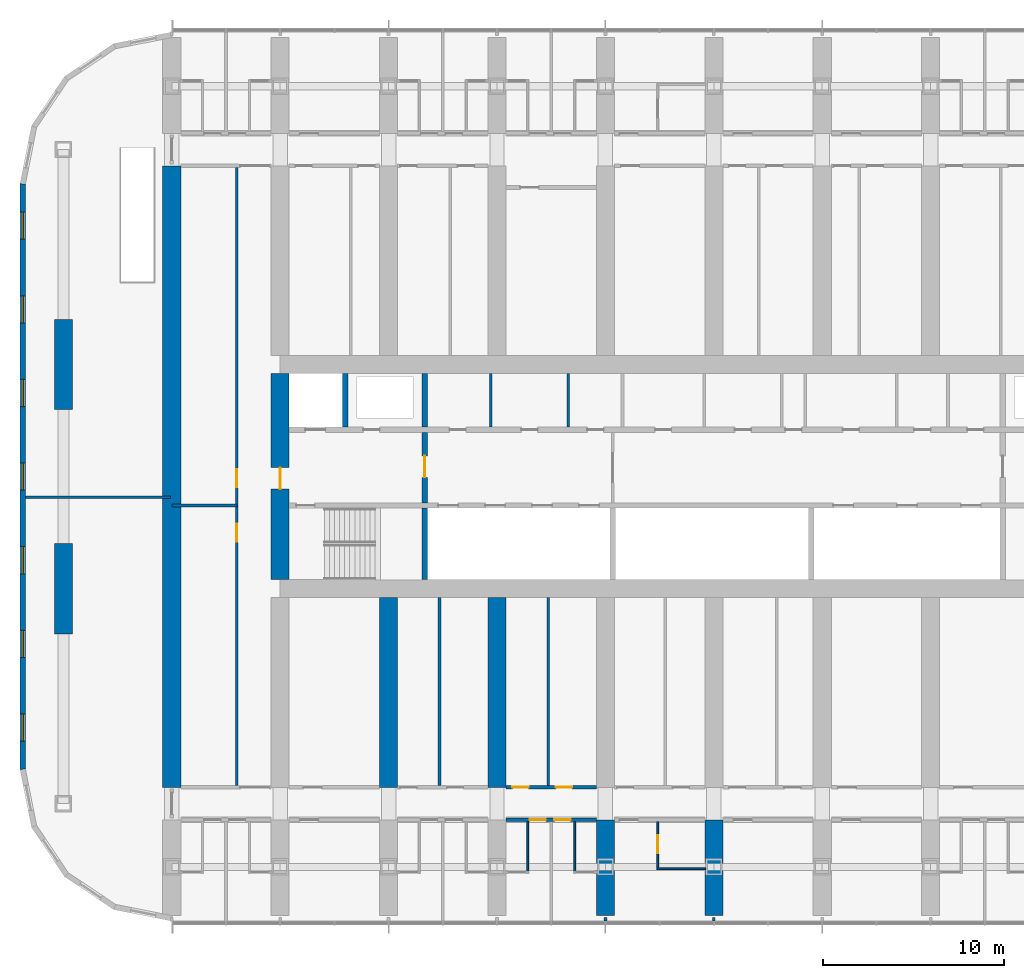
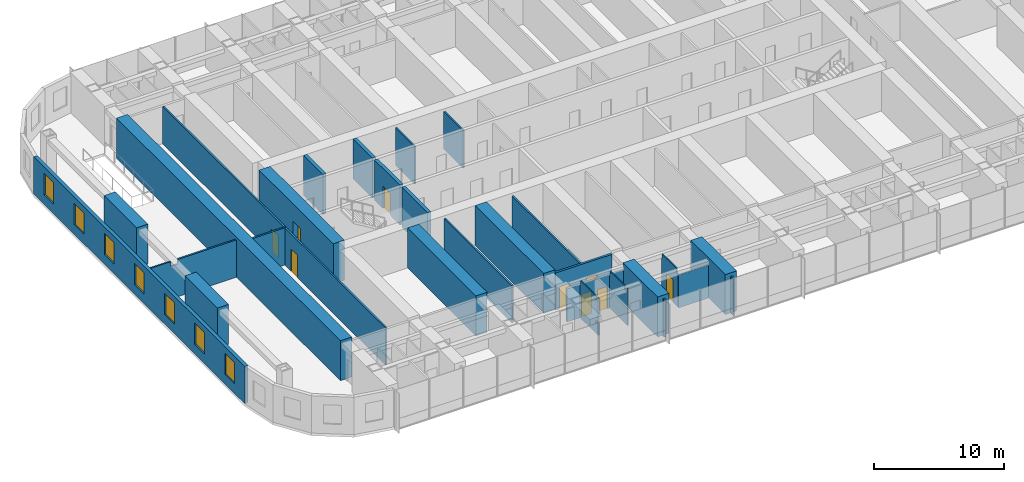
# One storey, part 11 of 23: 28 walls, 9 doors, 7 windows, 16 openings.
"""IFC4 building model written with IfcOpenShell, lengths in metres."""

from ifc_helpers import new_model, si_unit, direction, frame, frame_2d, origin, place, context, subcontext, project, spatial, polyline, rectangle, outline, extrude, material, layer, layer_set, type_object, element, fill, save


model = new_model("IFC4")

# Units and contexts
model_context = context("Model", 3, precision=1e-05, world=origin(), true_north=direction((0.0, 1.0)))
body_context = subcontext(model_context, "Body", "Model", "MODEL_VIEW")
ifc_project = project(units=[si_unit("LENGTHUNIT", "METRE"), si_unit("AREAUNIT", "SQUARE_METRE"), si_unit("VOLUMEUNIT", "CUBIC_METRE"), si_unit("PLANEANGLEUNIT", "RADIAN"), si_unit("MASSUNIT", "GRAM", prefix="KILO")], contexts=[model_context])

# Site, building, storey
site_placement = place(None, origin())
site = spatial("IfcSite", under=ifc_project, at=site_placement, CompositionType="ELEMENT")
building_placement = place(site_placement, origin())
building = spatial("IfcBuilding", under=site, at=building_placement, Name="Orbita Commons", CompositionType="ELEMENT")
storey_placement = place(building_placement, frame((0.0, 0.0, 42.699951171875)))
storey = spatial("IfcBuildingStorey", under=building, at=storey_placement, Name="L10", CompositionType="ELEMENT", Elevation=42.699951171875)

# Wall
ifc_material_1 = material(Name="Concrete C50/60", Category="concrete")
ifc_layer_1 = layer(ifc_material_1, 0.300048828125)
ifc_layer_set_1 = layer_set([ifc_layer_1], Name="Concrete C50/60")
wall_type_1 = type_object("IfcWallType", Name="Core inner wall 300 C50/60", PredefinedType="SHEAR", material=ifc_layer_set_1)
wall_1_placement = place(storey_placement, frame((26.0, 26.300048828125, 0.0), z_axis=(0.0, 0.0, 1.0), x_axis=(0.0, 1.0, 0.0)))
element("IfcWall", 1, at=wall_1_placement, inside=storey, type_object=wall_type_1, Name="Stair S1 wall L10", PredefinedType="SHEAR", context=body_context, shape_type="SweptSolid", body=[
    extrude(rectangle(XDim=3.949951171875, YDim=0.300048828125, at=frame_2d((1.97509765625, 0.0))), origin(), (0.0, 0.0, 1.0), 3.75),
])

# Wall, opening, door
wall_2_placement = place(storey_placement, frame((26.0, 30.550048828125, 0.0), z_axis=(0.0, 0.0, 1.0), x_axis=(0.0, 1.0, 0.0)))
wall_2 = element("IfcWall", 2, at=wall_2_placement, inside=storey, type_object=wall_type_1, Name="Firefighting lobby wall west L10", PredefinedType="SHEAR", context=body_context, shape_type="SweptSolid", body=[
    extrude(rectangle(XDim=3.89990234375, YDim=0.300048828125, at=frame_2d((1.949951171875, 0.0))), origin(), (0.0, 0.0, 1.0), 3.75),
])
opening_1_placement = place(wall_2_placement, frame((1.39990234375, 0.0, 0.0)))
opening_1 = element("IfcOpeningElement", 3, at=opening_1_placement, cuts=wall_2, Name="Opening D04", PredefinedType="OPENING", context=body_context, shape_type="SweptSolid", body=[
    extrude(rectangle(XDim=1.199951171875, YDim=2.10009765625, at=frame_2d((0.60009765625, 1.050048828125))), frame((0.0, 0.159912109375, 0.0), z_axis=(0.0, -1.0, 0.0), x_axis=(1.0, 0.0, 0.0)), (0.0, 0.0, 1.0), 0.320068359375),
])
ifc_material_2 = material(Name="Steel-faced fire door leaf", Category="steel")
door_type_1 = type_object("IfcDoorType", Name="Service door 20 min 1200x2100", OperationType="SINGLE_SWING_LEFT", PredefinedType="DOOR", material=ifc_material_2)
door_1_placement = place(opening_1_placement, origin())
door_1 = element("IfcDoor", 4, at=door_1_placement, inside=storey, type_object=door_type_1, Name="Lift lobby door west", OperationType="SINGLE_SWING_LEFT", OverallHeight=2.10009765625, OverallWidth=1.199951171875, PredefinedType="DOOR", context=body_context, shape_type="SweptSolid", body=[
    extrude(rectangle(XDim=1.199951171875, YDim=2.10009765625, at=frame_2d((0.60009765625, 1.050048828125))), frame((0.0, 0.02490234375, 0.0), z_axis=(0.0, -1.0, 0.0), x_axis=(1.0, 0.0, 0.0)), (0.0, 0.0, 1.0), 0.050048828125),
])
fill(opening_1, door_1)

# Walls
for number, where, z_axis, x_axis, name in (
    (5, (21.60009765625, 34.75, 0.0), (0.0, 0.0, 1.0), (0.0, 1.0, 0.0), "Firefighting lift FL1 shaft wall L10"),
    (6, (26.0, 34.75, 0.0), (0.0, 0.0, 1.0), (0.0, 1.0, 0.0), "Riser wall west L10"),
):
    element("IfcWall", number, at=place(storey_placement, frame(where, z_axis=z_axis, x_axis=x_axis)), inside=storey, type_object=wall_type_1, Name=name, PredefinedType="SHEAR", context=body_context, shape_type="SweptSolid", body=[
        extrude(rectangle(XDim=2.949951171875, YDim=0.300048828125, at=frame_2d((1.47509765625, 0.0))), origin(), (0.0, 0.0, 1.0), 3.75),
    ])
ifc_material_3 = material(Name="Concrete blockwork", Category="masonry")
ifc_layer_2 = layer(ifc_material_3, 0.14990234375)
ifc_layer_set_2 = layer_set([ifc_layer_2], Name="Concrete blockwork")
wall_type_2 = type_object("IfcWallType", Name="Core partition 150 blockwork", PredefinedType="SOLIDWALL", material=ifc_layer_set_2)
for number, where, z_axis, x_axis, name in (
    (7, (29.65087890625, 34.75, 0.0), (0.0, 0.0, 1.0), (0.0, 1.0, 0.0), "Core partition 150 blockwork L10"),
    (8, (33.9462890625, 34.75, 0.0), (0.0, 0.0, 1.0), (0.0, 1.0, 0.0), "Core partition 150 blockwork L10"),
):
    element("IfcWall", number, at=place(storey_placement, frame(where, z_axis=z_axis, x_axis=x_axis)), inside=storey, type_object=wall_type_2, Name=name, PredefinedType="SOLIDWALL", context=body_context, shape_type="SweptSolid", body=[
        extrude(rectangle(XDim=2.949951171875, YDim=0.14990234375, at=frame_2d((1.47509765625, 0.0))), origin(), (0.0, 0.0, 1.0), 3.5),
    ])

# Wall, opening, door
ifc_material_4 = material(Name="Concrete C50/60", Category="concrete")
ifc_layer_3 = layer(ifc_material_4, 1.0)
ifc_layer_set_3 = layer_set([ifc_layer_3], Name="Concrete C50/60")
wall_type_3 = type_object("IfcWallType", Name="Core wall 1000 C50/60", PredefinedType="SHEAR", material=ifc_layer_set_3)
wall_3_placement = place(storey_placement, frame((18.0, 26.300048828125, 0.0), z_axis=(0.0, 0.0, 1.0), x_axis=(0.0, 1.0, 0.0)))
wall_3 = element("IfcWall", 9, at=wall_3_placement, inside=storey, type_object=wall_type_3, Name="Core end wall west L10", PredefinedType="SHEAR", context=body_context, shape_type="SweptSolid", body=[
    extrude(rectangle(XDim=11.39990234375, YDim=1.0, at=frame_2d((5.699951171875, 0.0))), origin(), (0.0, 0.0, 1.0), 3.75),
])
opening_2_placement = place(wall_3_placement, frame((5.0, 0.0, 0.0)))
opening_2 = element("IfcOpeningElement", 10, at=opening_2_placement, cuts=wall_3, Name="Opening D01", PredefinedType="OPENING", context=body_context, shape_type="SweptSolid", body=[
    extrude(rectangle(XDim=1.199951171875, YDim=2.10009765625, at=frame_2d((0.60009765625, 1.050048828125))), frame((0.0, 0.510009765625, 0.0), z_axis=(0.0, -1.0, 0.0), x_axis=(1.0, 0.0, 0.0)), (0.0, 0.0, 1.0), 1.02001953125),
])
ifc_material_5 = material(Name="Steel-faced fire door leaf", Category="steel")
door_type_2 = type_object("IfcDoorType", Name="Fire door 90 min 1200x2100", OperationType="SINGLE_SWING_LEFT", PredefinedType="DOOR", material=ifc_material_5)
door_2_placement = place(opening_2_placement, origin())
door_2 = element("IfcDoor", 11, at=door_2_placement, inside=storey, type_object=door_type_2, Name="Firefighting lobby west door", OperationType="SINGLE_SWING_LEFT", OverallHeight=2.10009765625, OverallWidth=1.199951171875, PredefinedType="DOOR", context=body_context, shape_type="SweptSolid", body=[
    extrude(rectangle(XDim=1.199951171875, YDim=2.10009765625, at=frame_2d((0.60009765625, 1.050048828125))), frame((0.0, 0.02490234375, 0.0), z_axis=(0.0, -1.0, 0.0), x_axis=(1.0, 0.0, 0.0)), (0.0, 0.0, 1.0), 0.050048828125),
])
fill(opening_2, door_2)

# Wall, openings, doors
ifc_material_6 = material(Name="Concrete blockwork", Category="masonry")
ifc_layer_4 = layer(ifc_material_6, 0.199951171875)
ifc_layer_set_4 = layer_set([ifc_layer_4], Name="Concrete blockwork")
wall_type_4 = type_object("IfcWallType", Name="Corridor wall 200 blockwork", PredefinedType="SOLIDWALL", material=ifc_layer_set_4)
wall_4_placement = place(storey_placement, frame((30.5, 13.0, 0.0), z_axis=(0.0, 0.0, 1.0), x_axis=(1.0, 0.0, 0.0)))
wall_4 = element("IfcWall", 12, at=wall_4_placement, inside=storey, type_object=wall_type_4, Name="Corridor wall 200 blockwork L10", PredefinedType="SOLIDWALL", context=body_context, shape_type="SweptSolid", body=[
    extrude(outline(polyline([(0.0, 0.0), (5.0, 0.0), (5.0, 3.10009765625), (0.0, 3.10009765625), (0.0, 0.0)])), frame((0.0, 0.10009765625, 0.0), z_axis=(0.0, -1.0, 0.0), x_axis=(1.0, 0.0, 0.0)), (0.0, 0.0, 1.0), 0.199951171875),
])
opening_3_placement = place(wall_4_placement, frame((1.300048828125, 0.0, 0.0)))
opening_3 = element("IfcOpeningElement", 13, at=opening_3_placement, cuts=wall_4, Name="Opening D11", PredefinedType="OPENING", context=body_context, shape_type="SweptSolid", body=[
    extrude(rectangle(XDim=0.89990234375, YDim=2.10009765625, at=frame_2d((0.449951171875, 1.050048828125))), frame((0.0, 0.10986328125, 0.0), z_axis=(0.0, -1.0, 0.0), x_axis=(1.0, 0.0, 0.0)), (0.0, 0.0, 1.0), 0.219970703125),
])
opening_4_placement = place(wall_4_placement, frame((2.675048828125, 0.0, 0.0)))
opening_4 = element("IfcOpeningElement", 14, at=opening_4_placement, cuts=wall_4, Name="Opening D11", PredefinedType="OPENING", context=body_context, shape_type="SweptSolid", body=[
    extrude(rectangle(XDim=0.89990234375, YDim=2.10009765625, at=frame_2d((0.449951171875, 1.050048828125))), frame((0.0, 0.10986328125, 0.0), z_axis=(0.0, -1.0, 0.0), x_axis=(1.0, 0.0, 0.0)), (0.0, 0.0, 1.0), 0.219970703125),
])
ifc_material_7 = material(Name="Steel-faced fire door leaf", Category="steel")
door_type_3 = type_object("IfcDoorType", Name="Corridor door 20 min 900x2100", OperationType="SINGLE_SWING_LEFT", PredefinedType="DOOR", material=ifc_material_7)
door_3_placement = place(opening_3_placement, origin())
door_3 = element("IfcDoor", 15, at=door_3_placement, inside=storey, type_object=door_type_3, Name="House bedroom L10-S06 door", OperationType="SINGLE_SWING_LEFT", OverallHeight=2.10009765625, OverallWidth=0.89990234375, PredefinedType="DOOR", context=body_context, shape_type="SweptSolid", body=[
    extrude(rectangle(XDim=0.89990234375, YDim=2.10009765625, at=frame_2d((0.449951171875, 1.050048828125))), frame((0.0, 0.02490234375, 0.0), z_axis=(0.0, -1.0, 0.0), x_axis=(1.0, 0.0, 0.0)), (0.0, 0.0, 1.0), 0.050048828125),
])
fill(opening_3, door_3)
door_4_placement = place(opening_4_placement, origin())
door_4 = element("IfcDoor", 16, at=door_4_placement, inside=storey, type_object=door_type_3, Name="House bedroom L10-S07 door", OperationType="SINGLE_SWING_LEFT", OverallHeight=2.10009765625, OverallWidth=0.89990234375, PredefinedType="DOOR", context=body_context, shape_type="SweptSolid", body=[
    extrude(rectangle(XDim=0.89990234375, YDim=2.10009765625, at=frame_2d((0.449951171875, 1.050048828125))), frame((0.0, 0.02490234375, 0.0), z_axis=(0.0, -1.0, 0.0), x_axis=(1.0, 0.0, 0.0)), (0.0, 0.0, 1.0), 0.050048828125),
])
fill(opening_4, door_4)

ifc_material_8 = material(Name="Hollow concrete block 200", Category="concrete")
ifc_layer_5 = layer(ifc_material_8, 0.199951171875)
ifc_layer_set_5 = layer_set([ifc_layer_5], Name="Hollow concrete block 200")
wall_type_5 = type_object("IfcWallType", Name="Corridor wall 200 hollow concrete block", PredefinedType="SOLIDWALL", material=ifc_layer_set_5)
wall_5_placement = place(storey_placement, frame((30.5, 14.800048828125, 0.0), z_axis=(0.0, 0.0, 1.0), x_axis=(1.0, 0.0, 0.0)))
wall_5 = element("IfcWall", 17, at=wall_5_placement, inside=storey, type_object=wall_type_5, Name="Corridor wall 200 hollow concrete block L10", PredefinedType="SOLIDWALL", context=body_context, shape_type="SweptSolid", body=[
    extrude(rectangle(XDim=5.0, YDim=0.199951171875, at=frame_2d((2.5, 0.0))), origin(), (0.0, 0.0, 1.0), 3.5),
])
opening_5_placement = place(wall_5_placement, frame((0.35009765625, 0.0, 0.0)))
opening_5 = element("IfcOpeningElement", 18, at=opening_5_placement, cuts=wall_5, Name="Opening D11", PredefinedType="OPENING", context=body_context, shape_type="SweptSolid", body=[
    extrude(rectangle(XDim=0.89990234375, YDim=2.10009765625, at=frame_2d((0.449951171875, 1.050048828125))), frame((0.0, 0.10986328125, 0.0), z_axis=(0.0, -1.0, 0.0), x_axis=(1.0, 0.0, 0.0)), (0.0, 0.0, 1.0), 0.219970703125),
])
opening_6_placement = place(wall_5_placement, frame((2.7548828125, 0.0, 0.0)))
opening_6 = element("IfcOpeningElement", 19, at=opening_6_placement, cuts=wall_5, Name="Opening D11", PredefinedType="OPENING", context=body_context, shape_type="SweptSolid", body=[
    extrude(rectangle(XDim=0.89990234375, YDim=2.10009765625, at=frame_2d((0.449951171875, 1.050048828125))), frame((0.0, 0.10986328125, 0.0), z_axis=(0.0, -1.0, 0.0), x_axis=(1.0, 0.0, 0.0)), (0.0, 0.0, 1.0), 0.219970703125),
])
door_5_placement = place(opening_5_placement, origin())
door_5 = element("IfcDoor", 20, at=door_5_placement, inside=storey, type_object=door_type_3, Name="Sprinkler valve room L10-BDS30n door", OperationType="SINGLE_SWING_LEFT", OverallHeight=2.10009765625, OverallWidth=0.89990234375, PredefinedType="DOOR", context=body_context, shape_type="SweptSolid", body=[
    extrude(rectangle(XDim=0.89990234375, YDim=2.10009765625, at=frame_2d((0.449951171875, 1.050048828125))), frame((0.0, 0.02490234375, 0.0), z_axis=(0.0, -1.0, 0.0), x_axis=(1.0, 0.0, 0.0)), (0.0, 0.0, 1.0), 0.050048828125),
])
fill(opening_5, door_5)
door_6_placement = place(opening_6_placement, origin())
door_6 = element("IfcDoor", 21, at=door_6_placement, inside=storey, type_object=door_type_3, Name="Quiet room L10-BDS30 door", OperationType="SINGLE_SWING_LEFT", OverallHeight=2.10009765625, OverallWidth=0.89990234375, PredefinedType="DOOR", context=body_context, shape_type="SweptSolid", body=[
    extrude(rectangle(XDim=0.89990234375, YDim=2.10009765625, at=frame_2d((0.449951171875, 1.050048828125))), frame((0.0, 0.02490234375, 0.0), z_axis=(0.0, -1.0, 0.0), x_axis=(1.0, 0.0, 0.0)), (0.0, 0.0, 1.0), 0.050048828125),
])
fill(opening_6, door_6)

# Walls
ifc_material_9 = material(Name="Concrete C50/60", Category="concrete")
ifc_layer_6 = layer(ifc_material_9, 1.0)
ifc_layer_set_6 = layer_set([ifc_layer_6], Name="Concrete C50/60")
wall_type_6 = type_object("IfcWallType", Name="Cross wall 1000 C50/60", PredefinedType="SHEAR", material=ifc_layer_set_6)
wall_6_placement = place(storey_placement, frame((12.0, 14.800048828125, 0.0), z_axis=(0.0, 0.0, 1.0), x_axis=(0.0, 1.0, 0.0)))
element("IfcWall", 22, at=wall_6_placement, inside=storey, type_object=wall_type_6, Name="Cross wall 3 inner L10", PredefinedType="SHEAR", context=body_context, shape_type="SweptSolid", body=[
    extrude(rectangle(XDim=34.39990234375, YDim=1.0, at=frame_2d((17.199951171875, 0.0))), origin(), (0.0, 0.0, 1.0), 3.75),
])
for number, where, z_axis, x_axis, name in (
    (23, (24.0, 14.800048828125, 0.0), (0.0, 0.0, 1.0), (0.0, 1.0, 0.0), "Cross wall 5 south inner L10"),
    (24, (30.0, 14.800048828125, 0.0), (0.0, 0.0, 1.0), (0.0, 1.0, 0.0), "Cross wall 6 south inner L10"),
):
    element("IfcWall", number, at=place(storey_placement, frame(where, z_axis=z_axis, x_axis=x_axis)), inside=storey, type_object=wall_type_6, Name=name, PredefinedType="SHEAR", context=body_context, shape_type="SweptSolid", body=[
        extrude(rectangle(XDim=10.5, YDim=1.0, at=frame_2d((5.25, 0.0))), origin(), (0.0, 0.0, 1.0), 3.75),
    ])
for number, where, z_axis, x_axis, name in (
    (25, (36.0, 7.699951171875, 0.0), (0.0, 0.0, 1.0), (0.0, 1.0, 0.0), "Cross wall 7 south outer L10"),
    (26, (42.0, 7.699951171875, 0.0), (0.0, 0.0, 1.0), (0.0, 1.0, 0.0), "Cross wall 8 south outer L10"),
):
    element("IfcWall", number, at=place(storey_placement, frame(where, z_axis=z_axis, x_axis=x_axis)), inside=storey, type_object=wall_type_6, Name=name, PredefinedType="SHEAR", context=body_context, shape_type="SweptSolid", body=[
        extrude(rectangle(XDim=5.300048828125, YDim=1.0, at=frame_2d((2.64990234375, 0.0))), origin(), (0.0, 0.0, 1.0), 3.75),
    ])
ifc_material_10 = material(Name="Moisture-resistant plasterboard on steel studs", Category="steel")
ifc_layer_7 = layer(ifc_material_10, 0.10009765625)
ifc_layer_set_7 = layer_set([ifc_layer_7], Name="Moisture-resistant plasterboard on steel studs")
wall_type_7 = type_object("IfcWallType", Name="En-suite partition 100", PredefinedType="PARTITIONING", material=ifc_layer_set_7)
for number, where, z_axis, x_axis, name in (
    (27, (31.699951171875, 10.14990234375, 0.0), (0.0, 0.0, 1.0), (0.0, 1.0, 0.0), "En-suite partition 100 L10"),
    (28, (34.300048828125, 10.14990234375, 0.0), (0.0, 0.0, 1.0), (0.0, 1.0, 0.0), "En-suite partition 100 L10"),
):
    element("IfcWall", number, at=place(storey_placement, frame(where, z_axis=z_axis, x_axis=x_axis)), inside=storey, type_object=wall_type_7, Name=name, PredefinedType="PARTITIONING", context=body_context, shape_type="SweptSolid", body=[
        extrude(outline(polyline([(0.0, 0.0), (2.75, 0.0), (2.75, 3.10009765625), (2.701904296875, 3.10009765625), (2.699951171875, 3.5), (0.451904296875, 3.5), (0.449951171875, 3.10009765625), (0.052001953125, 3.10009765625), (0.050048828125, 3.5), (0.0, 3.5), (0.0, 0.0)])), frame((0.0, 0.050048828125, 0.0), z_axis=(0.0, -1.0, 0.0), x_axis=(1.0, 0.0, 0.0)), (0.0, 0.0, 1.0), 0.10009765625),
    ])
wall_7_placement = place(storey_placement, frame((38.85009765625, 10.300048828125, 0.0), z_axis=(0.0, 0.0, 1.0), x_axis=(1.0, 0.0, 0.0)))
element("IfcWall", 29, at=wall_7_placement, inside=storey, type_object=wall_type_7, Name="En-suite partition 100 L10", PredefinedType="PARTITIONING", context=body_context, shape_type="SweptSolid", body=[
    extrude(outline(polyline([(0.0, 0.0), (2.699951171875, 0.0), (2.699951171875, 3.10009765625), (0.0, 3.10009765625), (0.0, 0.0)])), frame((0.0, 0.050048828125, 0.0), z_axis=(0.0, -1.0, 0.0), x_axis=(1.0, 0.0, 0.0)), (0.0, 0.0, 1.0), 0.10009765625),
])

# Wall, opening, door
wall_8_placement = place(storey_placement, frame((38.89990234375, 10.35009765625, 0.0), z_axis=(0.0, 0.0, 1.0), x_axis=(0.0, 1.0, 0.0)))
wall_8 = element("IfcWall", 30, at=wall_8_placement, inside=storey, type_object=wall_type_7, Name="En-suite partition 100 L10", PredefinedType="PARTITIONING", context=body_context, shape_type="SweptSolid", body=[
    extrude(outline(polyline([(0.0, 0.0), (2.5498046875, 0.0), (2.550048828125, 3.10009765625), (2.501953125, 3.10009765625), (2.5, 3.5), (0.251953125, 3.5), (0.25, 3.10009765625), (0.0, 3.10009765625), (0.0, 0.0)])), frame((0.0, 0.050048828125, 0.0), z_axis=(0.0, -1.0, 0.0), x_axis=(1.0, 0.0, 0.0)), (0.0, 0.0, 1.0), 0.10009765625),
])
opening_7_placement = place(wall_8_placement, frame((0.800048828125, 0.0, 0.0)))
opening_7 = element("IfcOpeningElement", 31, at=opening_7_placement, cuts=wall_8, Name="Opening D13", PredefinedType="OPENING", context=body_context, shape_type="SweptSolid", body=[
    extrude(rectangle(XDim=1.0, YDim=2.10009765625, at=frame_2d((0.5, 1.050048828125))), frame((0.0, 0.06005859375, 0.0), z_axis=(0.0, -1.0, 0.0), x_axis=(1.0, 0.0, 0.0)), (0.0, 0.0, 1.0), 0.1201171875),
])
ifc_material_11 = material(Name="Laminated timber door leaf", Category="wood")
door_type_4 = type_object("IfcDoorType", Name="En-suite door 1000x2100", OperationType="SINGLE_SWING_RIGHT", PredefinedType="DOOR", material=ifc_material_11)
door_7_placement = place(opening_7_placement, origin())
door_7 = element("IfcDoor", 32, at=door_7_placement, inside=storey, type_object=door_type_4, Name="Accessible shower room L10-S08 door", OperationType="SINGLE_SWING_RIGHT", OverallHeight=2.10009765625, OverallWidth=1.0, PredefinedType="DOOR", context=body_context, shape_type="SweptSolid", body=[
    extrude(rectangle(XDim=1.0, YDim=2.10009765625, at=frame_2d((0.5, 1.050048828125))), frame((0.0, 0.02490234375, 0.0), z_axis=(0.0, -1.0, 0.0), x_axis=(1.0, 0.0, 0.0)), (0.0, 0.0, 1.0), 0.050048828125),
])
fill(opening_7, door_7)

# Walls
ifc_material_12 = material(Name="Concrete C50/60", Category="concrete")
ifc_layer_8 = layer(ifc_material_12, 1.0)
ifc_layer_set_8 = layer_set([ifc_layer_8], Name="Concrete C50/60")
wall_type_8 = type_object("IfcWallType", Name="End pier 1000x5000 C50/60", PredefinedType="SHEAR", material=ifc_layer_set_8)
for number, where, z_axis, x_axis, name in (
    (33, (6.0, 23.300048828125, 0.0), (0.0, 0.0, 1.0), (0.0, 1.0, 0.0), "End pier 2/C L10"),
    (34, (6.0, 35.699951171875, 0.0), (0.0, 0.0, 1.0), (0.0, 1.0, 0.0), "End pier 2/D L10"),
):
    element("IfcWall", number, at=place(storey_placement, frame(where, z_axis=z_axis, x_axis=x_axis)), inside=storey, type_object=wall_type_8, Name=name, PredefinedType="SHEAR", context=body_context, shape_type="SweptSolid", body=[
        extrude(rectangle(XDim=5.0, YDim=1.0, at=frame_2d((2.5, 0.0))), origin(), (0.0, 0.0, 1.0), 3.75),
    ])
ifc_material_13 = material(Name="Gypsum plasterboard on steel studs", Category="steel")
ifc_layer_9 = layer(ifc_material_13, 0.14990234375)
ifc_layer_set_9 = layer_set([ifc_layer_9], Name="Gypsum plasterboard on steel studs")
wall_type_9 = type_object("IfcWallType", Name="Partition 150 plasterboard", PredefinedType="PARTITIONING", material=ifc_layer_set_9)
for number, where, z_axis, x_axis, name in (
    (35, (26.81494140625, 14.89990234375, 0.0), (0.0, 0.0, 1.0), (0.0, 1.0, 0.0), "Partition 150 plasterboard L10"),
    (36, (32.830078125, 14.89990234375, 0.0), (0.0, 0.0, 1.0), (0.0, 1.0, 0.0), "Partition 150 plasterboard L10"),
):
    element("IfcWall", number, at=place(storey_placement, frame(where, z_axis=z_axis, x_axis=x_axis)), inside=storey, type_object=wall_type_9, Name=name, PredefinedType="PARTITIONING", context=body_context, shape_type="SweptSolid", body=[
        extrude(rectangle(XDim=10.400146484375, YDim=0.14990234375, at=frame_2d((5.2001953125, 0.0))), origin(), (0.0, 0.0, 1.0), 3.5),
    ])

# Wall, openings, doors
wall_9_placement = place(storey_placement, frame((15.60009765625, 14.89990234375, 0.0), z_axis=(0.0, 0.0, 1.0), x_axis=(0.0, 1.0, 0.0)))
wall_9 = element("IfcWall", 37, at=wall_9_placement, inside=storey, type_object=wall_type_9, Name="Partition 150 plasterboard L10", PredefinedType="PARTITIONING", context=body_context, shape_type="SweptSolid", body=[
    extrude(rectangle(XDim=34.2001953125, YDim=0.14990234375, at=frame_2d((17.10009765625, 0.0))), origin(), (0.0, 0.0, 1.0), 3.5),
])
opening_8_placement = place(wall_9_placement, frame((13.5, 0.0, 0.0)))
opening_8 = element("IfcOpeningElement", 38, at=opening_8_placement, cuts=wall_9, Name="Opening D06", PredefinedType="OPENING", context=body_context, shape_type="SweptSolid", body=[
    extrude(rectangle(XDim=1.0, YDim=2.10009765625, at=frame_2d((0.5, 1.050048828125))), frame((0.0, 0.0849609375, 0.0), z_axis=(0.0, -1.0, 0.0), x_axis=(1.0, 0.0, 0.0)), (0.0, 0.0, 1.0), 0.169921875),
])
opening_9_placement = place(wall_9_placement, frame((16.5, 0.0, 0.0)))
opening_9 = element("IfcOpeningElement", 39, at=opening_9_placement, cuts=wall_9, Name="Opening D06", PredefinedType="OPENING", context=body_context, shape_type="SweptSolid", body=[
    extrude(rectangle(XDim=1.0, YDim=2.10009765625, at=frame_2d((0.5, 1.050048828125))), frame((0.0, 0.0849609375, 0.0), z_axis=(0.0, -1.0, 0.0), x_axis=(1.0, 0.0, 0.0)), (0.0, 0.0, 1.0), 0.169921875),
])
ifc_material_14 = material(Name="Steel-faced fire door leaf", Category="steel")
door_type_5 = type_object("IfcDoorType", Name="Corridor door 20 min 1000x2100", OperationType="SINGLE_SWING_LEFT", PredefinedType="DOOR", material=ifc_material_14)
door_8_placement = place(opening_8_placement, origin())
door_8 = element("IfcDoor", 40, at=door_8_placement, inside=storey, type_object=door_type_5, Name="Interview room door", OperationType="SINGLE_SWING_LEFT", OverallHeight=2.10009765625, OverallWidth=1.0, PredefinedType="DOOR", context=body_context, shape_type="SweptSolid", body=[
    extrude(rectangle(XDim=1.0, YDim=2.10009765625, at=frame_2d((0.5, 1.050048828125))), frame((0.0, 0.02490234375, 0.0), z_axis=(0.0, -1.0, 0.0), x_axis=(1.0, 0.0, 0.0)), (0.0, 0.0, 1.0), 0.050048828125),
])
fill(opening_8, door_8)
door_9_placement = place(opening_9_placement, origin())
door_9 = element("IfcDoor", 41, at=door_9_placement, inside=storey, type_object=door_type_5, Name="Residents' storage room door", OperationType="SINGLE_SWING_LEFT", OverallHeight=2.10009765625, OverallWidth=1.0, PredefinedType="DOOR", context=body_context, shape_type="SweptSolid", body=[
    extrude(rectangle(XDim=1.0, YDim=2.10009765625, at=frame_2d((0.5, 1.050048828125))), frame((0.0, 0.02490234375, 0.0), z_axis=(0.0, -1.0, 0.0), x_axis=(1.0, 0.0, 0.0)), (0.0, 0.0, 1.0), 0.050048828125),
])
fill(opening_9, door_9)

# Walls
wall_10_placement = place(storey_placement, frame((12.0, 30.39990234375, 0.0), z_axis=(0.0, 0.0, 1.0), x_axis=(1.0, 0.0, 0.0)))
element("IfcWall", 42, at=wall_10_placement, inside=storey, type_object=wall_type_9, Name="Partition 150 plasterboard L10", PredefinedType="PARTITIONING", context=body_context, shape_type="SweptSolid", body=[
    extrude(rectangle(XDim=3.60009765625, YDim=0.14990234375, at=frame_2d((1.800048828125, 0.0))), origin(), (0.0, 0.0, 1.0), 3.5),
])
wall_11_placement = place(storey_placement, frame((3.905029296875, 30.85009765625, 0.0), z_axis=(0.0, 0.0, 1.0), x_axis=(1.0, 0.0, 0.0)))
element("IfcWall", 43, at=wall_11_placement, inside=storey, type_object=wall_type_9, Name="Partition 150 plasterboard L10", PredefinedType="PARTITIONING", context=body_context, shape_type="SweptSolid", body=[
    extrude(outline(polyline([(0.0, 0.0), (8.02001953125, 0.0), (8.02001953125, 3.5), (2.39697265625, 3.5), (2.39501953125, 3.050048828125), (1.797119140625, 3.050048828125), (1.794921875, 3.5), (0.0, 3.5), (0.0, 0.0)])), frame((0.0, 0.074951171875, 0.0), z_axis=(0.0, -1.0, 0.0), x_axis=(1.0, 0.0, 0.0)), (0.0, 0.0, 1.0), 0.14990234375),
])
for number, where, z_axis, x_axis, name in (
    (44, (36.0, 7.60009765625, 0.0), (0.0, 0.0, 1.0), (0.0, -1.0, 0.0), "Partition 150 plasterboard L10"),
    (45, (42.0, 7.60009765625, 0.0), (0.0, 0.0, 1.0), (0.0, -1.0, 0.0), "Partition 150 plasterboard L10"),
):
    element("IfcWall", number, at=place(storey_placement, frame(where, z_axis=z_axis, x_axis=x_axis)), inside=storey, type_object=wall_type_9, Name=name, PredefinedType="PARTITIONING", context=body_context, shape_type="SweptSolid", body=[
        extrude(rectangle(XDim=0.190185546875, YDim=0.14990234375, at=frame_2d((0.09521484375, 0.0))), origin(), (0.0, 0.0, 1.0), 3.5),
    ])

# Wall, openings, windows
ifc_material_15 = material(Name="Precast concrete C40/50, white board-marked finish", Category="concrete")
ifc_layer_10 = layer(ifc_material_15, 0.300048828125)
ifc_layer_set_10 = layer_set([ifc_layer_10], Name="Precast concrete C40/50, white board-marked finish")
wall_type_10 = type_object("IfcWallType", Name="Precast concrete end shield 300", PredefinedType="SOLIDWALL", material=ifc_layer_set_10)
wall_12_placement = place(storey_placement, frame((3.75, 48.199951171875, 0.0), z_axis=(0.0, 0.0, 1.0), x_axis=(0.0, -1.0, 0.0)))
wall_12 = element("IfcWall", 46, at=wall_12_placement, inside=storey, type_object=wall_type_10, Name="End shield W L10", PredefinedType="SOLIDWALL", context=body_context, shape_type="SweptSolid", body=[
    extrude(outline(polyline([(-0.014892578125, -0.14990234375), (32.414794921875, -0.14990234375), (32.385009765625, 0.14990234375), (0.014892578125, 0.14990234375), (-0.014892578125, -0.14990234375)])), origin(), (0.0, 0.0, 1.0), 3.5),
])
opening_10_placement = place(wall_12_placement, frame((1.564208984375, 0.0, 0.89990234375)))
opening_10 = element("IfcOpeningElement", 47, at=opening_10_placement, cuts=wall_12, Name="Opening W01", PredefinedType="OPENING", context=body_context, shape_type="SweptSolid", body=[
    extrude(rectangle(XDim=1.5, YDim=2.0, at=frame_2d((0.75, 1.0))), frame((0.0, 0.159912109375, 0.0), z_axis=(0.0, -1.0, 0.0), x_axis=(1.0, 0.0, 0.0)), (0.0, 0.0, 1.0), 0.320068359375),
])
opening_11_placement = place(wall_12_placement, frame((6.19287109375, 0.0, 0.89990234375)))
opening_11 = element("IfcOpeningElement", 48, at=opening_11_placement, cuts=wall_12, Name="Opening W01", PredefinedType="OPENING", context=body_context, shape_type="SweptSolid", body=[
    extrude(rectangle(XDim=1.5, YDim=2.0, at=frame_2d((0.75, 1.0))), frame((0.0, 0.159912109375, 0.0), z_axis=(0.0, -1.0, 0.0), x_axis=(1.0, 0.0, 0.0)), (0.0, 0.0, 1.0), 0.320068359375),
])
opening_12_placement = place(wall_12_placement, frame((10.821533203125, 0.0, 0.89990234375)))
opening_12 = element("IfcOpeningElement", 49, at=opening_12_placement, cuts=wall_12, Name="Opening W01", PredefinedType="OPENING", context=body_context, shape_type="SweptSolid", body=[
    extrude(rectangle(XDim=1.5, YDim=2.0, at=frame_2d((0.75, 1.0))), frame((0.0, 0.159912109375, 0.0), z_axis=(0.0, -1.0, 0.0), x_axis=(1.0, 0.0, 0.0)), (0.0, 0.0, 1.0), 0.320068359375),
])
opening_13_placement = place(wall_12_placement, frame((15.449951171875, 0.0, 0.89990234375)))
opening_13 = element("IfcOpeningElement", 50, at=opening_13_placement, cuts=wall_12, Name="Opening W01", PredefinedType="OPENING", context=body_context, shape_type="SweptSolid", body=[
    extrude(rectangle(XDim=1.5, YDim=2.0, at=frame_2d((0.75, 1.0))), frame((0.0, 0.159912109375, 0.0), z_axis=(0.0, -1.0, 0.0), x_axis=(1.0, 0.0, 0.0)), (0.0, 0.0, 1.0), 0.320068359375),
])
opening_14_placement = place(wall_12_placement, frame((20.07861328125, 0.0, 0.89990234375)))
opening_14 = element("IfcOpeningElement", 51, at=opening_14_placement, cuts=wall_12, Name="Opening W01", PredefinedType="OPENING", context=body_context, shape_type="SweptSolid", body=[
    extrude(rectangle(XDim=1.5, YDim=2.0, at=frame_2d((0.75, 1.0))), frame((0.0, 0.159912109375, 0.0), z_axis=(0.0, -1.0, 0.0), x_axis=(1.0, 0.0, 0.0)), (0.0, 0.0, 1.0), 0.320068359375),
])
opening_15_placement = place(wall_12_placement, frame((24.70703125, 0.0, 0.89990234375)))
opening_15 = element("IfcOpeningElement", 52, at=opening_15_placement, cuts=wall_12, Name="Opening W01", PredefinedType="OPENING", context=body_context, shape_type="SweptSolid", body=[
    extrude(rectangle(XDim=1.5, YDim=2.0, at=frame_2d((0.75, 1.0))), frame((0.0, 0.159912109375, 0.0), z_axis=(0.0, -1.0, 0.0), x_axis=(1.0, 0.0, 0.0)), (0.0, 0.0, 1.0), 0.320068359375),
])
opening_16_placement = place(wall_12_placement, frame((29.335693359375, 0.0, 0.89990234375)))
opening_16 = element("IfcOpeningElement", 53, at=opening_16_placement, cuts=wall_12, Name="Opening W01", PredefinedType="OPENING", context=body_context, shape_type="SweptSolid", body=[
    extrude(rectangle(XDim=1.5, YDim=2.0, at=frame_2d((0.75, 1.0))), frame((0.0, 0.159912109375, 0.0), z_axis=(0.0, -1.0, 0.0), x_axis=(1.0, 0.0, 0.0)), (0.0, 0.0, 1.0), 0.320068359375),
])
ifc_material_16 = material(Name="Aluminium frame, clear double glazing", Category="aluminium")
window_type = type_object("IfcWindowType", Name="Deep-set window 1500x2000", PartitioningType="SINGLE_PANEL", PredefinedType="WINDOW", material=ifc_material_16)
window_1_placement = place(opening_10_placement, origin())
window_1 = element("IfcWindow", 54, at=window_1_placement, inside=storey, type_object=window_type, Name="Window L10-W 1", OverallHeight=2.0, OverallWidth=1.5, PartitioningType="SINGLE_PANEL", PredefinedType="WINDOW", context=body_context, shape_type="SweptSolid", body=[
    extrude(rectangle(XDim=1.5, YDim=2.0, at=frame_2d((0.75, 1.0))), frame((0.0, 0.030029296875, 0.0), z_axis=(0.0, -1.0, 0.0), x_axis=(1.0, 0.0, 0.0)), (0.0, 0.0, 1.0), 0.06005859375),
])
fill(opening_10, window_1)
window_2_placement = place(opening_11_placement, origin())
window_2 = element("IfcWindow", 55, at=window_2_placement, inside=storey, type_object=window_type, Name="Window L10-W 2", OverallHeight=2.0, OverallWidth=1.5, PartitioningType="SINGLE_PANEL", PredefinedType="WINDOW", context=body_context, shape_type="SweptSolid", body=[
    extrude(rectangle(XDim=1.5, YDim=2.0, at=frame_2d((0.75, 1.0))), frame((0.0, 0.030029296875, 0.0), z_axis=(0.0, -1.0, 0.0), x_axis=(1.0, 0.0, 0.0)), (0.0, 0.0, 1.0), 0.06005859375),
])
fill(opening_11, window_2)
window_3_placement = place(opening_12_placement, origin())
window_3 = element("IfcWindow", 56, at=window_3_placement, inside=storey, type_object=window_type, Name="Window L10-W 3", OverallHeight=2.0, OverallWidth=1.5, PartitioningType="SINGLE_PANEL", PredefinedType="WINDOW", context=body_context, shape_type="SweptSolid", body=[
    extrude(rectangle(XDim=1.5, YDim=2.0, at=frame_2d((0.75, 1.0))), frame((0.0, 0.030029296875, 0.0), z_axis=(0.0, -1.0, 0.0), x_axis=(1.0, 0.0, 0.0)), (0.0, 0.0, 1.0), 0.06005859375),
])
fill(opening_12, window_3)
window_4_placement = place(opening_13_placement, origin())
window_4 = element("IfcWindow", 57, at=window_4_placement, inside=storey, type_object=window_type, Name="Window L10-W 4", OverallHeight=2.0, OverallWidth=1.5, PartitioningType="SINGLE_PANEL", PredefinedType="WINDOW", context=body_context, shape_type="SweptSolid", body=[
    extrude(rectangle(XDim=1.5, YDim=2.0, at=frame_2d((0.75, 1.0))), frame((0.0, 0.030029296875, 0.0), z_axis=(0.0, -1.0, 0.0), x_axis=(1.0, 0.0, 0.0)), (0.0, 0.0, 1.0), 0.06005859375),
])
fill(opening_13, window_4)
window_5_placement = place(opening_14_placement, origin())
window_5 = element("IfcWindow", 58, at=window_5_placement, inside=storey, type_object=window_type, Name="Window L10-W 5", OverallHeight=2.0, OverallWidth=1.5, PartitioningType="SINGLE_PANEL", PredefinedType="WINDOW", context=body_context, shape_type="SweptSolid", body=[
    extrude(rectangle(XDim=1.5, YDim=2.0, at=frame_2d((0.75, 1.0))), frame((0.0, 0.030029296875, 0.0), z_axis=(0.0, -1.0, 0.0), x_axis=(1.0, 0.0, 0.0)), (0.0, 0.0, 1.0), 0.06005859375),
])
fill(opening_14, window_5)
window_6_placement = place(opening_15_placement, origin())
window_6 = element("IfcWindow", 59, at=window_6_placement, inside=storey, type_object=window_type, Name="Window L10-W 6", OverallHeight=2.0, OverallWidth=1.5, PartitioningType="SINGLE_PANEL", PredefinedType="WINDOW", context=body_context, shape_type="SweptSolid", body=[
    extrude(rectangle(XDim=1.5, YDim=2.0, at=frame_2d((0.75, 1.0))), frame((0.0, 0.030029296875, 0.0), z_axis=(0.0, -1.0, 0.0), x_axis=(1.0, 0.0, 0.0)), (0.0, 0.0, 1.0), 0.06005859375),
])
fill(opening_15, window_6)
window_7_placement = place(opening_16_placement, origin())
window_7 = element("IfcWindow", 60, at=window_7_placement, inside=storey, type_object=window_type, Name="Window L10-W 7", OverallHeight=2.0, OverallWidth=1.5, PartitioningType="SINGLE_PANEL", PredefinedType="WINDOW", context=body_context, shape_type="SweptSolid", body=[
    extrude(rectangle(XDim=1.5, YDim=2.0, at=frame_2d((0.75, 1.0))), frame((0.0, 0.030029296875, 0.0), z_axis=(0.0, -1.0, 0.0), x_axis=(1.0, 0.0, 0.0)), (0.0, 0.0, 1.0), 0.06005859375),
])
fill(opening_16, window_7)

save(model, "model.ifc")
